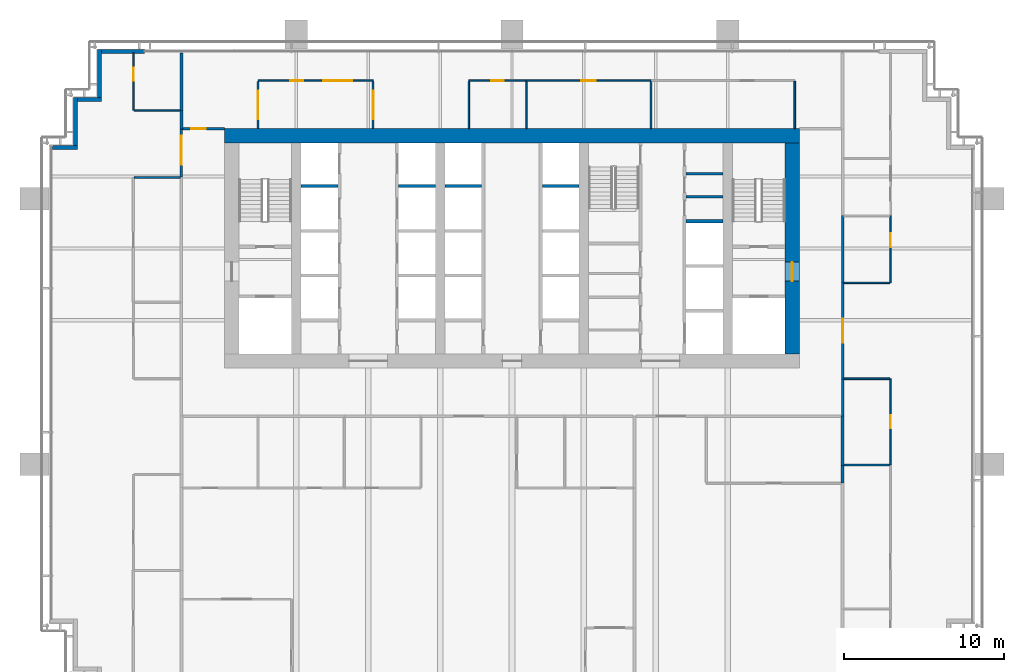
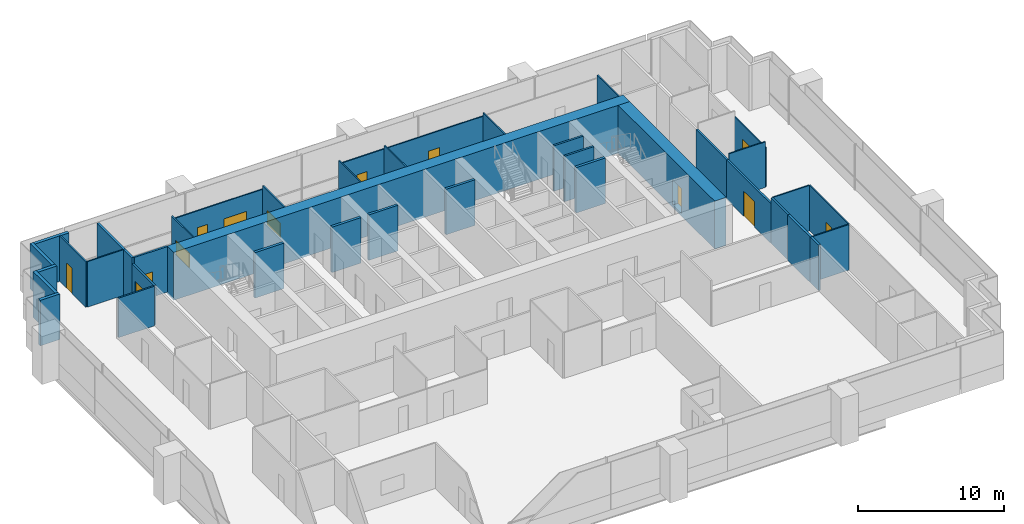
# One storey, part 13 of 18: 40 walls, 10 doors, 3 windows, 13 openings.
"""IFC4 building model written with IfcOpenShell, lengths in metres."""

import ifcopenshell
import ifcopenshell.guid

model = None  # the IFC model being written
_history = None  # IfcOwnerHistory: only IFC2X3 demands one
_inside = {}  # id of a spatial element -> (the spatial element, [elements in it])
_under = {}  # id of a project, library or spatial element -> (it, [spatial elements below it])
_declared = {}  # id of a project -> (the project, [libraries it declares])
_typed = {}  # id of a type object -> (the type object, [elements of that type])
_made_of = {}  # id of a material, layer set ... -> (it, [elements and type objects made of it])


def new_model(schema):
    """Start an empty IFC model of exactly this schema.

    Asked for "IFC4X3", IfcOpenShell would pick the latest addendum, in which some entities
    have other attributes; the version numbers below select the first issue.
    IFC2X3 requires an IfcOwnerHistory on every rooted entity: one is made here for all.
    """
    global model, _history
    if schema == "IFC4X3":
        model = ifcopenshell.file(schema_version=(4, 3, 0, 0))
    else:
        model = ifcopenshell.file(schema=schema)
    _inside.clear()
    _under.clear()
    _declared.clear()
    _typed.clear()
    _made_of.clear()
    _history = None
    if model.schema == "IFC2X3":
        org = make("IfcOrganization", Name="unknown")
        user = make(
            "IfcPersonAndOrganization",
            ThePerson=make("IfcPerson", FamilyName="unknown"),
            TheOrganization=org,
        )
        app = make(
            "IfcApplication",
            ApplicationDeveloper=org,
            Version="unknown",
            ApplicationFullName="unknown",
            ApplicationIdentifier="unknown",
        )
        _history = make(
            "IfcOwnerHistory",
            OwningUser=user,
            OwningApplication=app,
            ChangeAction="ADDED",
            CreationDate=0,
        )
    return model


def make(cls, **values):
    """One entity of the class cls with the attributes given. An attribute that is None is left unset."""
    return model.create_entity(
        cls, **{name: value for name, value in values.items() if value is not None}
    )


def rooted(cls, **values):
    """An entity with a GlobalId (a new one), such as an element, a storey or a relation."""
    return make(cls, GlobalId=ifcopenshell.guid.new(), OwnerHistory=_history, **values)


def si_unit(unit_type, name, prefix=None):
    """IfcSIUnit, for example si_unit("LENGTHUNIT", "METRE", prefix="MILLI")."""
    return make("IfcSIUnit", UnitType=unit_type, Prefix=prefix, Name=name)


def assignment(units):
    """IfcUnitAssignment: the units of a project."""
    return None if units is None else make("IfcUnitAssignment", Units=units)


def point(xyz):
    """IfcCartesianPoint."""
    return None if xyz is None else make("IfcCartesianPoint", Coordinates=xyz)


def direction(xyz):
    """IfcDirection."""
    return None if xyz is None else make("IfcDirection", DirectionRatios=xyz)


def frame(location, z_axis=None, x_axis=None):
    """IfcAxis2Placement3D, a coordinate frame: its origin and axes. An axis left out is left unset."""
    return make(
        "IfcAxis2Placement3D",
        Location=point(location),
        Axis=direction(z_axis),
        RefDirection=direction(x_axis),
    )


def frame_2d(location, x_axis=None):
    """IfcAxis2Placement2D, a coordinate frame in the plane: its origin and x axis."""
    return make(
        "IfcAxis2Placement2D", Location=point(location), RefDirection=direction(x_axis)
    )


def origin():
    """The frame at (0, 0, 0) with its axes left unset."""
    return frame((0.0, 0.0, 0.0))


def place(relative_to, where):
    """IfcLocalPlacement: puts the frame where relative to a parent placement (None: the world)."""
    return make(
        "IfcLocalPlacement", PlacementRelTo=relative_to, RelativePlacement=where
    )


def context(
    kind, dimensions, precision=None, world=None, true_north=None, identifier=None
):
    """IfcGeometricRepresentationContext, for example the 3D "Model" context."""
    return make(
        "IfcGeometricRepresentationContext",
        ContextIdentifier=identifier,
        ContextType=kind,
        CoordinateSpaceDimension=dimensions,
        Precision=precision,
        WorldCoordinateSystem=world,
        TrueNorth=true_north,
    )


def subcontext(parent, identifier, kind, view, scale=None):
    """IfcGeometricRepresentationSubContext, for example "Body" below "Model"."""
    return make(
        "IfcGeometricRepresentationSubContext",
        ContextIdentifier=identifier,
        ContextType=kind,
        ParentContext=parent,
        TargetScale=scale,
        TargetView=view,
    )


def project(units=None, contexts=None):
    """IfcProject with its units and contexts."""
    return rooted(
        "IfcProject",
        Name="project",
        RepresentationContexts=contexts,
        UnitsInContext=assignment(units),
    )


def spatial(cls, under=None, at=None, **own):
    """A site, building, storey or space (cls), placed at a placement, below another one or the project."""
    s = rooted(cls, ObjectPlacement=at, **own)
    if under is not None:
        _under.setdefault(under.id(), (under, []))[1].append(s)
    return s


def profile(cls, at=None, kind="AREA", **sizes):
    """A parametric profile (cls). Its sizes go by their IFC names, for example OverallWidth=200.0."""
    return make(cls, ProfileType=kind, Position=at, **sizes)


def rectangle(**sizes):
    """IfcRectangleProfileDef."""
    return profile("IfcRectangleProfileDef", **sizes)


def extrude(swept, where, along, depth):
    """IfcExtrudedAreaSolid: the profile swept, set in the frame where, extruded along a direction by depth."""
    return make(
        "IfcExtrudedAreaSolid",
        SweptArea=swept,
        Position=where,
        ExtrudedDirection=direction(along),
        Depth=depth,
    )


def shape(context_of_items, identifier, shape_type, items):
    """IfcShapeRepresentation: the items that make up one representation, for example the "Body"."""
    return make(
        "IfcShapeRepresentation",
        ContextOfItems=context_of_items,
        RepresentationIdentifier=identifier,
        RepresentationType=shape_type,
        Items=items,
    )


def material(Name=None, Category=None):
    """IfcMaterial."""
    return make("IfcMaterial", Name=Name, Category=Category)


def layer(
    of_material, thickness, ventilated=None, Name=None, Category=None, Priority=None
):
    """IfcMaterialLayer: one layer of a wall or slab, of a material (None: an air gap)."""
    return make(
        "IfcMaterialLayer",
        Material=of_material,
        LayerThickness=thickness,
        IsVentilated=ventilated,
        Name=Name,
        Category=Category,
        Priority=Priority,
    )


def layer_set(layers, Name=None):
    """IfcMaterialLayerSet."""
    return make("IfcMaterialLayerSet", MaterialLayers=layers, LayerSetName=Name)


def made_of(thing, what):
    """Note that an element or type object is made of a material, layer set ...; save() writes the relation."""
    if what is not None:
        _made_of.setdefault(what.id(), (what, []))[1].append(thing)
    return thing


def type_object(cls, material=None, **own):
    """A type object (cls), such as IfcWallType, which elements share."""
    return made_of(rooted(cls, **own), material)


def element(
    cls,
    number,
    at=None,
    inside=None,
    cuts=None,
    type_object=None,
    material=None,
    context=None,
    identifier="Body",
    shape_type=None,
    held_by="IfcProductDefinitionShape",
    body=None,
    shapes=None,
    **own,
):
    """One element of the class cls, such as IfcWall. Its Tag is "e" and its number.

    at: its placement. inside: the storey or other place that contains it. cuts: it is an
    opening in that element (IfcRelVoidsElement). A single representation is given by context,
    identifier, shape_type and body (its items); several are given by shapes. held_by: the class
    of the entity that holds the representations. save() writes the other relations.
    """
    e = rooted(cls, Tag="e%d" % number, ObjectPlacement=at, **own)
    if body is not None:
        shapes = [shape(context, identifier, shape_type, body)]
    if shapes is not None:
        e.Representation = make(held_by, Representations=shapes)
    if inside is not None:
        _inside.setdefault(inside.id(), (inside, []))[1].append(e)
    if cuts is not None:
        rooted(
            "IfcRelVoidsElement", RelatingBuildingElement=cuts, RelatedOpeningElement=e
        )
    if type_object is not None:
        _typed.setdefault(type_object.id(), (type_object, []))[1].append(e)
    return made_of(e, material)


def fill(opening, filler):
    """IfcRelFillsElement: the door or window that sits in an opening."""
    return rooted(
        "IfcRelFillsElement",
        RelatingOpeningElement=opening,
        RelatedBuildingElement=filler,
    )


def aggregate(whole, parts):
    """IfcRelAggregates: a whole, such as a stair, and the parts it consists of."""
    return rooted("IfcRelAggregates", RelatingObject=whole, RelatedObjects=parts)


def save(model, path):
    """Write the relations noted so far, then the file.

    IfcRelAggregates (storeys below a building ...), IfcRelContainedInSpatialStructure (elements
    in a storey), IfcRelDefinesByType, IfcRelAssociatesMaterial and IfcRelDeclares: one each for
    every whole, place, type object, material and project.
    """
    for whole, parts in _under.values():
        aggregate(whole, parts)
    for where, things in _inside.values():
        rooted(
            "IfcRelContainedInSpatialStructure",
            RelatedElements=things,
            RelatingStructure=where,
        )
    for kind, things in _typed.values():
        rooted("IfcRelDefinesByType", RelatedObjects=things, RelatingType=kind)
    for what, things in _made_of.values():
        rooted("IfcRelAssociatesMaterial", RelatedObjects=things, RelatingMaterial=what)
    for by, libraries in _declared.values():
        rooted("IfcRelDeclares", RelatingContext=by, RelatedDefinitions=libraries)
    model.write(path)


model = new_model("IFC4")

# Units and contexts
model_context = context("Model", 3, precision=1e-05, world=origin(), true_north=direction((0.0, 1.0)))
body_context = subcontext(model_context, "Body", "Model", "MODEL_VIEW")
ifc_project = project(units=[si_unit("LENGTHUNIT", "METRE"), si_unit("AREAUNIT", "SQUARE_METRE"), si_unit("VOLUMEUNIT", "CUBIC_METRE"), si_unit("PLANEANGLEUNIT", "RADIAN"), si_unit("MASSUNIT", "GRAM", prefix="KILO")], contexts=[model_context])

# Site, building, storey
site_placement = place(None, origin())
site = spatial("IfcSite", under=ifc_project, at=site_placement, CompositionType="ELEMENT")
building_placement = place(site_placement, origin())
building = spatial("IfcBuilding", under=site, at=building_placement, Name="Rattan Terrace Tower", CompositionType="ELEMENT")
storey_placement = place(building_placement, frame((0.0, 0.0, 134.10009765625)))
storey = spatial("IfcBuildingStorey", under=building, at=storey_placement, Name="L30", CompositionType="ELEMENT", Elevation=134.10009765625)

# Walls
ifc_material_1 = material(Name="Gypsum board partition")
ifc_layer_1 = layer(ifc_material_1, 0.14990234375)
ifc_layer_set_1 = layer_set([ifc_layer_1], Name="Core partition 150")
wall_type_1 = type_object("IfcWallType", Name="Core partition 150", PredefinedType="PARTITIONING", material=ifc_layer_set_1)
for number, where, z_axis, x_axis, name in (
    (1, (10.89990234375, 3.239990234375, 0.0), (0.0, 0.0, 1.0), (1.0, 0.0, 0.0), "Riser room wall"),
    (2, (10.89990234375, 4.679931640625, 0.0), (0.0, 0.0, 1.0), (1.0, 0.0, 0.0), "Riser room wall"),
):
    element("IfcWall", number, at=place(storey_placement, frame(where, z_axis=z_axis, x_axis=x_axis)), inside=storey, type_object=wall_type_1, Name=name, PredefinedType="PARTITIONING", context=body_context, shape_type="SweptSolid", body=[
        extrude(rectangle(XDim=2.300048828125, YDim=0.14990234375, at=frame_2d((1.14990234375, 0.0))), origin(), (0.0, 0.0, 1.0), 3.7998046875),
    ])
ifc_material_2 = material(Name="Concrete C60/75", Category="concrete")
ifc_layer_2 = layer(ifc_material_2, 0.89990234375)
ifc_layer_set_2 = layer_set([ifc_layer_2], Name="Core ring wall 900 C60/75")
wall_type_2 = type_object("IfcWallType", Name="Core ring wall 900 C60/75", PredefinedType="SHEAR", material=ifc_layer_set_2)
wall_1_placement = place(storey_placement, frame((-18.0, 7.050048828125, -0.2001953125), z_axis=(0.0, 0.0, 1.0), x_axis=(1.0, 0.0, 0.0)))
element("IfcWall", 3, at=wall_1_placement, inside=storey, type_object=wall_type_2, Name="Rear core wall north", PredefinedType="SHEAR", context=body_context, shape_type="SweptSolid", body=[
    extrude(rectangle(XDim=36.0, YDim=0.89990234375, at=frame_2d((18.0, 0.0))), origin(), (0.0, 0.0, 1.0), 4.0),
])

# Wall, opening, door
wall_2_placement = place(storey_placement, frame((17.550048828125, -6.60009765625, -0.2001953125), z_axis=(0.0, 0.0, 1.0), x_axis=(0.0, 1.0, 0.0)))
wall_2 = element("IfcWall", 4, at=wall_2_placement, inside=storey, type_object=wall_type_2, Name="Rear core wall east", PredefinedType="SHEAR", context=body_context, shape_type="SweptSolid", body=[
    extrude(rectangle(XDim=13.2001953125, YDim=0.89990234375, at=frame_2d((6.60009765625, 0.0))), origin(), (0.0, 0.0, 1.0), 4.0),
])
opening_1_placement = place(wall_2_placement, frame((4.550048828125, 0.0, 0.199951171875)))
opening_1 = element("IfcOpeningElement", 5, at=opening_1_placement, cuts=wall_2, Name="Opening L30-D003", PredefinedType="OPENING", context=body_context, shape_type="SweptSolid", body=[
    extrude(rectangle(XDim=1.199951171875, YDim=2.10009765625, at=frame_2d((0.60009765625, 1.050048828125))), frame((0.0, 0.46044921875, 0.0), z_axis=(0.0, -1.0, 0.0), x_axis=(1.0, 0.0, 0.0)), (0.0, 0.0, 1.0), 0.9208984375),
])
ifc_material_3 = material(Name="Hollow-metal fire door leaf")
door_type_1 = type_object("IfcDoorType", Name="Core fire-fighting lobby door 1200", OperationType="NOTDEFINED", PredefinedType="DOOR", material=ifc_material_3)
door_1_placement = place(opening_1_placement, origin())
door_1 = element("IfcDoor", 6, at=door_1_placement, inside=storey, type_object=door_type_1, Name="Door L30-D003", OperationType="SINGLE_SWING_LEFT", OverallHeight=2.10009765625, OverallWidth=1.199951171875, PredefinedType="DOOR", context=body_context, shape_type="SweptSolid", body=[
    extrude(rectangle(XDim=1.199951171875, YDim=2.10009765625, at=frame_2d((0.60009765625, 1.050048828125))), frame((0.0, 0.02490234375, 0.0), z_axis=(0.0, -1.0, 0.0), x_axis=(1.0, 0.0, 0.0)), (0.0, 0.0, 1.0), 0.050048828125),
])
fill(opening_1, door_1)

# Walls
ifc_material_4 = material(Name="Insulated aluminium-clad stud wall", Category="aluminium")
ifc_layer_3 = layer(ifc_material_4, 0.25)
ifc_layer_set_3 = layer_set([ifc_layer_3], Name="Facade Riser Wall 250")
wall_type_3 = type_object("IfcWallType", Name="Facade Riser Wall 250", PredefinedType="SOLIDWALL", material=ifc_layer_set_3)
wall_3_placement = place(storey_placement, frame((-23.0, 12.330078125, 0.0), z_axis=(0.0, 0.0, 1.0), x_axis=(-1.0, 0.0, 0.0)))
element("IfcWall", 7, at=wall_3_placement, inside=storey, type_object=wall_type_3, Name="Riser wall L30-11", PredefinedType="SOLIDWALL", context=body_context, shape_type="SweptSolid", body=[
    extrude(rectangle(XDim=2.705078125, YDim=0.25, at=frame_2d((1.3525390625, 0.0))), origin(), (0.0, 0.0, 1.0), 3.7998046875),
])
wall_4_placement = place(storey_placement, frame((-25.830078125, 12.455078125, 0.0), z_axis=(0.0, 0.0, 1.0), x_axis=(0.0, -1.0, 0.0)))
element("IfcWall", 8, at=wall_4_placement, inside=storey, type_object=wall_type_3, Name="Riser wall L30-12", PredefinedType="SOLIDWALL", context=body_context, shape_type="SweptSolid", body=[
    extrude(rectangle(XDim=3.0, YDim=0.25, at=frame_2d((1.5, 0.0))), origin(), (0.0, 0.0, 1.0), 3.7998046875),
])
wall_5_placement = place(storey_placement, frame((-25.705078125, 9.330078125, 0.0), z_axis=(0.0, 0.0, 1.0), x_axis=(-1.0, 0.0, 0.0)))
element("IfcWall", 9, at=wall_5_placement, inside=storey, type_object=wall_type_3, Name="Riser wall L30-13", PredefinedType="SOLIDWALL", context=body_context, shape_type="SweptSolid", body=[
    extrude(rectangle(XDim=1.5, YDim=0.25, at=frame_2d((0.75, 0.0))), origin(), (0.0, 0.0, 1.0), 3.7998046875),
])
wall_6_placement = place(storey_placement, frame((-27.330078125, 9.455078125, 0.0), z_axis=(0.0, 0.0, 1.0), x_axis=(0.0, -1.0, 0.0)))
element("IfcWall", 10, at=wall_6_placement, inside=storey, type_object=wall_type_3, Name="Riser wall L30-14", PredefinedType="SOLIDWALL", context=body_context, shape_type="SweptSolid", body=[
    extrude(rectangle(XDim=3.0, YDim=0.25, at=frame_2d((1.5, 0.0))), origin(), (0.0, 0.0, 1.0), 3.7998046875),
])
wall_7_placement = place(storey_placement, frame((-27.205078125, 6.330078125, 0.0), z_axis=(0.0, 0.0, 1.0), x_axis=(-1.0, 0.0, 0.0)))
element("IfcWall", 11, at=wall_7_placement, inside=storey, type_object=wall_type_3, Name="Riser wall L30-15", PredefinedType="SOLIDWALL", context=body_context, shape_type="SweptSolid", body=[
    extrude(rectangle(XDim=1.544921875, YDim=0.25, at=frame_2d((0.7724609375, 0.0))), origin(), (0.0, 0.0, 1.0), 3.7998046875),
])
ifc_material_5 = material(Name="Double steel stud acoustic partition, gypsum board, mineral wool, fire rated", Category="steel")
ifc_layer_4 = layer(ifc_material_5, 0.179931640625)
ifc_layer_set_4 = layer_set([ifc_layer_4], Name="Floors Acoustic Party Wall 180")
wall_type_4 = type_object("IfcWallType", Name="Floors Acoustic Party Wall 180", PredefinedType="PARTITIONING", material=ifc_layer_set_4)
wall_8_placement = place(storey_placement, frame((-20.699951171875, 8.639892578125, 0.0), z_axis=(0.0, 0.0, 1.0), x_axis=(0.0, -1.0, 0.0)))
element("IfcWall", 12, at=wall_8_placement, inside=storey, type_object=wall_type_4, Name="pt-L30-030", PredefinedType="PARTITIONING", context=body_context, shape_type="SweptSolid", body=[
    extrude(rectangle(XDim=1.159912109375, YDim=0.179931640625, at=frame_2d((0.580078125, 0.0))), origin(), (0.0, 0.0, 1.0), 3.7998046875),
])
wall_9_placement = place(storey_placement, frame((-20.699951171875, 12.239990234375, 0.0), z_axis=(0.0, 0.0, 1.0), x_axis=(0.0, -1.0, 0.0)))
element("IfcWall", 13, at=wall_9_placement, inside=storey, type_object=wall_type_4, Name="pt-L30-037", PredefinedType="PARTITIONING", context=body_context, shape_type="SweptSolid", body=[
    extrude(rectangle(XDim=3.60009765625, YDim=0.179931640625, at=frame_2d((1.800048828125, 0.0))), origin(), (0.0, 0.0, 1.0), 3.7998046875),
])
wall_10_placement = place(storey_placement, frame((20.699951171875, -13.580078125, 0.0), z_axis=(0.0, 0.0, 1.0), x_axis=(0.0, -1.0, 0.0)))
element("IfcWall", 14, at=wall_10_placement, inside=storey, type_object=wall_type_4, Name="pt-L30-060", PredefinedType="PARTITIONING", context=body_context, shape_type="SweptSolid", body=[
    extrude(rectangle(XDim=1.119873046875, YDim=0.179931640625, at=frame_2d((0.56005859375, 0.0))), origin(), (0.0, 0.0, 1.0), 3.7998046875),
])
wall_11_placement = place(storey_placement, frame((20.699951171875, -10.5, 0.0), z_axis=(0.0, 0.0, 1.0), x_axis=(0.0, -1.0, 0.0)))
element("IfcWall", 15, at=wall_11_placement, inside=storey, type_object=wall_type_4, Name="pt-L30-061", PredefinedType="PARTITIONING", context=body_context, shape_type="SweptSolid", body=[
    extrude(rectangle(XDim=3.080078125, YDim=0.179931640625, at=frame_2d((1.5400390625, 0.0))), origin(), (0.0, 0.0, 1.0), 3.7998046875),
])

# Wall, opening, door
ifc_material_6 = material(Name="Gypsum board partition on steel studs", Category="steel")
ifc_layer_5 = layer(ifc_material_6, 0.10009765625)
ifc_layer_set_5 = layer_set([ifc_layer_5], Name="Floors Partition 100")
wall_type_5 = type_object("IfcWallType", Name="Floors Partition 100", PredefinedType="PARTITIONING", material=ifc_layer_set_5)
wall_12_placement = place(storey_placement, frame((-23.699951171875, 12.239990234375, 0.0), z_axis=(0.0, 0.0, 1.0), x_axis=(0.0, -1.0, 0.0)))
wall_12 = element("IfcWall", 16, at=wall_12_placement, inside=storey, type_object=wall_type_5, Name="pt-L30-027", PredefinedType="PARTITIONING", context=body_context, shape_type="SweptSolid", body=[
    extrude(rectangle(XDim=3.60009765625, YDim=0.10009765625, at=frame_2d((1.800048828125, 0.0))), origin(), (0.0, 0.0, 1.0), 3.7998046875),
])
opening_2_placement = place(wall_12_placement, frame((0.93994140625, 0.0, 0.0)))
opening_2 = element("IfcOpeningElement", 17, at=opening_2_placement, cuts=wall_12, Name="Opening L30-D105", PredefinedType="OPENING", context=body_context, shape_type="SweptSolid", body=[
    extrude(rectangle(XDim=0.800048828125, YDim=2.10009765625, at=frame_2d((0.39990234375, 1.050048828125))), frame((0.0, 0.060546875, 0.0), z_axis=(0.0, -1.0, 0.0), x_axis=(1.0, 0.0, 0.0)), (0.0, 0.0, 1.0), 0.12109375),
])
ifc_material_7 = material(Name="Solid core timber door, painted", Category="wood")
door_type_2 = type_object("IfcDoorType", Name="Floors Store Door 800x2100", OperationType="NOTDEFINED", PredefinedType="DOOR", material=ifc_material_7)
door_2_placement = place(opening_2_placement, origin())
door_2 = element("IfcDoor", 18, at=door_2_placement, inside=storey, type_object=door_type_2, Name="d-L30-105", OperationType="SINGLE_SWING_LEFT", OverallHeight=2.10009765625, OverallWidth=0.800048828125, PredefinedType="DOOR", context=body_context, shape_type="SweptSolid", body=[
    extrude(rectangle(XDim=0.800048828125, YDim=2.10009765625, at=frame_2d((0.39990234375, 1.050048828125))), frame((0.0, 0.02490234375, 0.0), z_axis=(0.0, -1.0, 0.0), x_axis=(1.0, 0.0, 0.0)), (0.0, 0.0, 1.0), 0.050048828125),
])
fill(opening_2, door_2)

# Walls
wall_13_placement = place(storey_placement, frame((-23.64990234375, 8.639892578125, 0.0), z_axis=(0.0, 0.0, 1.0), x_axis=(1.0, 0.0, 0.0)))
element("IfcWall", 19, at=wall_13_placement, inside=storey, type_object=wall_type_5, Name="pt-L30-028", PredefinedType="PARTITIONING", context=body_context, shape_type="SweptSolid", body=[
    extrude(rectangle(XDim=2.85986328125, YDim=0.10009765625, at=frame_2d((1.429931640625, 0.0))), origin(), (0.0, 0.0, 1.0), 3.7998046875),
])
wall_14_placement = place(storey_placement, frame((23.64990234375, -8.159912109375, 0.0), z_axis=(0.0, 0.0, 1.0), x_axis=(-1.0, 0.0, 0.0)))
element("IfcWall", 20, at=wall_14_placement, inside=storey, type_object=wall_type_5, Name="pt-L30-065", PredefinedType="PARTITIONING", context=body_context, shape_type="SweptSolid", body=[
    extrude(rectangle(XDim=2.875, YDim=0.10009765625, at=frame_2d((1.4375, 0.0))), origin(), (0.0, 0.0, 1.0), 3.7998046875),
])

# Wall, opening, door
wall_15_placement = place(storey_placement, frame((23.699951171875, -13.5400390625, 0.0), z_axis=(0.0, 0.0, 1.0), x_axis=(0.0, 1.0, 0.0)))
wall_15 = element("IfcWall", 21, at=wall_15_placement, inside=storey, type_object=wall_type_5, Name="pt-L30-066", PredefinedType="PARTITIONING", context=body_context, shape_type="SweptSolid", body=[
    extrude(rectangle(XDim=5.380126953125, YDim=0.10009765625, at=frame_2d((2.68994140625, 0.0))), origin(), (0.0, 0.0, 1.0), 3.7998046875),
])
opening_3_placement = place(wall_15_placement, frame((2.2900390625, 0.0, 0.0)))
opening_3 = element("IfcOpeningElement", 22, at=opening_3_placement, cuts=wall_15, Name="Opening L30-D120", PredefinedType="OPENING", context=body_context, shape_type="SweptSolid", body=[
    extrude(rectangle(XDim=0.800048828125, YDim=2.10009765625, at=frame_2d((0.39990234375, 1.050048828125))), frame((0.0, 0.060546875, 0.0), z_axis=(0.0, -1.0, 0.0), x_axis=(1.0, 0.0, 0.0)), (0.0, 0.0, 1.0), 0.12109375),
])
door_3_placement = place(opening_3_placement, origin())
door_3 = element("IfcDoor", 23, at=door_3_placement, inside=storey, type_object=door_type_2, Name="d-L30-120", OperationType="SINGLE_SWING_LEFT", OverallHeight=2.10009765625, OverallWidth=0.800048828125, PredefinedType="DOOR", context=body_context, shape_type="SweptSolid", body=[
    extrude(rectangle(XDim=0.800048828125, YDim=2.10009765625, at=frame_2d((0.39990234375, 1.050048828125))), frame((0.0, 0.02490234375, 0.0), z_axis=(0.0, -1.0, 0.0), x_axis=(1.0, 0.0, 0.0)), (0.0, 0.0, 1.0), 0.050048828125),
])
fill(opening_3, door_3)

# Wall
wall_16_placement = place(storey_placement, frame((20.77490234375, -2.159912109375, 0.0), z_axis=(0.0, 0.0, 1.0), x_axis=(1.0, 0.0, 0.0)))
element("IfcWall", 24, at=wall_16_placement, inside=storey, type_object=wall_type_5, Name="pt-L30-067", PredefinedType="PARTITIONING", context=body_context, shape_type="SweptSolid", body=[
    extrude(rectangle(XDim=2.875, YDim=0.10009765625, at=frame_2d((1.4375, 0.0))), origin(), (0.0, 0.0, 1.0), 3.7998046875),
])

# Wall, opening, door
wall_17_placement = place(storey_placement, frame((23.699951171875, -2.159912109375, 0.0), z_axis=(0.0, 0.0, 1.0), x_axis=(0.0, 1.0, 0.0)))
wall_17 = element("IfcWall", 25, at=wall_17_placement, inside=storey, type_object=wall_type_5, Name="pt-L30-068", PredefinedType="PARTITIONING", context=body_context, shape_type="SweptSolid", body=[
    extrude(rectangle(XDim=4.219970703125, YDim=0.10009765625, at=frame_2d((2.10986328125, 0.0))), origin(), (0.0, 0.0, 1.0), 3.2998046875),
])
opening_4_placement = place(wall_17_placement, frame((2.22412109375, 0.0, 0.0)))
opening_4 = element("IfcOpeningElement", 26, at=opening_4_placement, cuts=wall_17, Name="Opening L30-D121", PredefinedType="OPENING", context=body_context, shape_type="SweptSolid", body=[
    extrude(rectangle(XDim=0.89990234375, YDim=2.10009765625, at=frame_2d((0.449951171875, 1.050048828125))), frame((0.0, 0.060546875, 0.0), z_axis=(0.0, -1.0, 0.0), x_axis=(1.0, 0.0, 0.0)), (0.0, 0.0, 1.0), 0.12109375),
])
ifc_material_8 = material(Name="Solid core timber door, painted", Category="wood")
door_type_3 = type_object("IfcDoorType", Name="Floors Door 900x2100", OperationType="NOTDEFINED", PredefinedType="DOOR", material=ifc_material_8)
door_4_placement = place(opening_4_placement, origin())
door_4 = element("IfcDoor", 27, at=door_4_placement, inside=storey, type_object=door_type_3, Name="d-L30-121", OperationType="SINGLE_SWING_RIGHT", OverallHeight=2.10009765625, OverallWidth=0.89990234375, PredefinedType="DOOR", context=body_context, shape_type="SweptSolid", body=[
    extrude(rectangle(XDim=0.89990234375, YDim=2.10009765625, at=frame_2d((0.449951171875, 1.050048828125))), frame((0.0, 0.02490234375, 0.0), z_axis=(0.0, -1.0, 0.0), x_axis=(1.0, 0.0, 0.0)), (0.0, 0.0, 1.0), 0.050048828125),
])
fill(opening_4, door_4)

# Wall
wall_18_placement = place(storey_placement, frame((20.7900390625, -13.56005859375, 0.0), z_axis=(0.0, 0.0, 1.0), x_axis=(1.0, 0.0, 0.0)))
element("IfcWall", 28, at=wall_18_placement, inside=storey, type_object=wall_type_5, Name="pt-L30-073", PredefinedType="PARTITIONING", context=body_context, shape_type="SweptSolid", body=[
    extrude(rectangle(XDim=2.85986328125, YDim=0.10009765625, at=frame_2d((1.429931640625, 0.0))), origin(), (0.0, 0.0, 1.0), 3.7998046875),
])

# Wall, opening, window
wall_19_placement = place(storey_placement, frame((-15.89990234375, 10.449951171875, 0.0), z_axis=(0.0, 0.0, 1.0), x_axis=(0.0, -1.0, 0.0)))
wall_19 = element("IfcWall", 29, at=wall_19_placement, inside=storey, type_object=wall_type_5, Name="pt-L30-077", PredefinedType="PARTITIONING", context=body_context, shape_type="SweptSolid", body=[
    extrude(rectangle(XDim=2.949951171875, YDim=0.10009765625, at=frame_2d((1.47509765625, 0.0))), origin(), (0.0, 0.0, 1.0), 3.7998046875),
])
opening_5_placement = place(wall_19_placement, frame((0.574951171875, 0.0, 0.89990234375)))
opening_5 = element("IfcOpeningElement", 30, at=opening_5_placement, cuts=wall_19, Name="Opening L30-W105", PredefinedType="OPENING", context=body_context, shape_type="SweptSolid", body=[
    extrude(rectangle(XDim=1.800048828125, YDim=1.199951171875, at=frame_2d((0.89990234375, 0.60009765625))), frame((0.0, 0.060546875, 0.0), z_axis=(0.0, -1.0, 0.0), x_axis=(1.0, 0.0, 0.0)), (0.0, 0.0, 1.0), 0.12109375),
])
ifc_material_9 = material(Name="Glass, clear, fixed in aluminium frame", Category="aluminium")
window_type = type_object("IfcWindowType", Name="Interior Vision Window 1800x1200", PartitioningType="SINGLE_PANEL", PredefinedType="WINDOW", material=ifc_material_9)
window_1_placement = place(opening_5_placement, origin())
window_1 = element("IfcWindow", 31, at=window_1_placement, inside=storey, type_object=window_type, Name="w-L30-105", OverallHeight=1.199951171875, OverallWidth=1.800048828125, PartitioningType="SINGLE_PANEL", PredefinedType="WINDOW", context=body_context, shape_type="SweptSolid", body=[
    extrude(rectangle(XDim=1.800048828125, YDim=1.199951171875, at=frame_2d((0.89990234375, 0.60009765625))), frame((0.0, 0.030029296875, 0.0), z_axis=(0.0, -1.0, 0.0), x_axis=(1.0, 0.0, 0.0)), (0.0, 0.0, 1.0), 0.06005859375),
])
fill(opening_5, window_1)

# Wall, openings, door, window
wall_20_placement = place(storey_placement, frame((-8.699951171875, 10.5, 0.0), z_axis=(0.0, 0.0, 1.0), x_axis=(-1.0, 0.0, 0.0)))
wall_20 = element("IfcWall", 32, at=wall_20_placement, inside=storey, type_object=wall_type_5, Name="pt-L30-078", PredefinedType="PARTITIONING", context=body_context, shape_type="SweptSolid", body=[
    extrude(rectangle(XDim=7.199951171875, YDim=0.10009765625, at=frame_2d((3.60009765625, 0.0))), origin(), (0.0, 0.0, 1.0), 3.5),
])
opening_6_placement = place(wall_20_placement, frame((4.3798828125, 0.0, 0.0)))
opening_6 = element("IfcOpeningElement", 33, at=opening_6_placement, cuts=wall_20, Name="Opening L30-D125", PredefinedType="OPENING", context=body_context, shape_type="SweptSolid", body=[
    extrude(rectangle(XDim=0.800048828125, YDim=2.10009765625, at=frame_2d((0.39990234375, 1.050048828125))), frame((0.0, 0.060546875, 0.0), z_axis=(0.0, -1.0, 0.0), x_axis=(1.0, 0.0, 0.0)), (0.0, 0.0, 1.0), 0.12109375),
])
opening_7_placement = place(wall_20_placement, frame((1.31494140625, 0.0, 0.89990234375)))
opening_7 = element("IfcOpeningElement", 34, at=opening_7_placement, cuts=wall_20, Name="Opening L30-W106", PredefinedType="OPENING", context=body_context, shape_type="SweptSolid", body=[
    extrude(rectangle(XDim=1.800048828125, YDim=1.199951171875, at=frame_2d((0.89990234375, 0.60009765625))), frame((0.0, 0.060546875, 0.0), z_axis=(0.0, -1.0, 0.0), x_axis=(1.0, 0.0, 0.0)), (0.0, 0.0, 1.0), 0.12109375),
])
door_5_placement = place(opening_6_placement, origin())
door_5 = element("IfcDoor", 35, at=door_5_placement, inside=storey, type_object=door_type_2, Name="d-L30-125", OperationType="SINGLE_SWING_RIGHT", OverallHeight=2.10009765625, OverallWidth=0.800048828125, PredefinedType="DOOR", context=body_context, shape_type="SweptSolid", body=[
    extrude(rectangle(XDim=0.800048828125, YDim=2.10009765625, at=frame_2d((0.39990234375, 1.050048828125))), frame((0.0, 0.02490234375, 0.0), z_axis=(0.0, -1.0, 0.0), x_axis=(1.0, 0.0, 0.0)), (0.0, 0.0, 1.0), 0.050048828125),
])
fill(opening_6, door_5)
window_2_placement = place(opening_7_placement, origin())
window_2 = element("IfcWindow", 36, at=window_2_placement, inside=storey, type_object=window_type, Name="w-L30-106", OverallHeight=1.199951171875, OverallWidth=1.800048828125, PartitioningType="SINGLE_PANEL", PredefinedType="WINDOW", context=body_context, shape_type="SweptSolid", body=[
    extrude(rectangle(XDim=1.800048828125, YDim=1.199951171875, at=frame_2d((0.89990234375, 0.60009765625))), frame((0.0, 0.030029296875, 0.0), z_axis=(0.0, -1.0, 0.0), x_axis=(1.0, 0.0, 0.0)), (0.0, 0.0, 1.0), 0.06005859375),
])
fill(opening_7, window_2)

# Wall, opening, window
wall_21_placement = place(storey_placement, frame((-8.699951171875, 7.5, 0.0), z_axis=(0.0, 0.0, 1.0), x_axis=(0.0, 1.0, 0.0)))
wall_21 = element("IfcWall", 37, at=wall_21_placement, inside=storey, type_object=wall_type_5, Name="pt-L30-079", PredefinedType="PARTITIONING", context=body_context, shape_type="SweptSolid", body=[
    extrude(rectangle(XDim=2.949951171875, YDim=0.10009765625, at=frame_2d((1.47509765625, 0.0))), origin(), (0.0, 0.0, 1.0), 3.7998046875),
])
opening_8_placement = place(wall_21_placement, frame((0.574951171875, 0.0, 0.89990234375)))
opening_8 = element("IfcOpeningElement", 38, at=opening_8_placement, cuts=wall_21, Name="Opening L30-W107", PredefinedType="OPENING", context=body_context, shape_type="SweptSolid", body=[
    extrude(rectangle(XDim=1.800048828125, YDim=1.199951171875, at=frame_2d((0.89990234375, 0.60009765625))), frame((0.0, 0.060546875, 0.0), z_axis=(0.0, -1.0, 0.0), x_axis=(1.0, 0.0, 0.0)), (0.0, 0.0, 1.0), 0.12109375),
])
window_3_placement = place(opening_8_placement, origin())
window_3 = element("IfcWindow", 39, at=window_3_placement, inside=storey, type_object=window_type, Name="w-L30-107", OverallHeight=1.199951171875, OverallWidth=1.800048828125, PartitioningType="SINGLE_PANEL", PredefinedType="WINDOW", context=body_context, shape_type="SweptSolid", body=[
    extrude(rectangle(XDim=1.800048828125, YDim=1.199951171875, at=frame_2d((0.89990234375, 0.60009765625))), frame((0.0, 0.030029296875, 0.0), z_axis=(0.0, -1.0, 0.0), x_axis=(1.0, 0.0, 0.0)), (0.0, 0.0, 1.0), 0.06005859375),
])
fill(opening_8, window_3)

# Wall
wall_22_placement = place(storey_placement, frame((-2.699951171875, 10.449951171875, 0.0), z_axis=(0.0, 0.0, 1.0), x_axis=(0.0, -1.0, 0.0)))
element("IfcWall", 40, at=wall_22_placement, inside=storey, type_object=wall_type_5, Name="pt-L30-080", PredefinedType="PARTITIONING", context=body_context, shape_type="SweptSolid", body=[
    extrude(rectangle(XDim=2.949951171875, YDim=0.10009765625, at=frame_2d((1.47509765625, 0.0))), origin(), (0.0, 0.0, 1.0), 3.7998046875),
])

# Wall, opening, door
wall_23_placement = place(storey_placement, frame((0.8798828125, 10.5, 0.0), z_axis=(0.0, 0.0, 1.0), x_axis=(-1.0, 0.0, 0.0)))
wall_23 = element("IfcWall", 41, at=wall_23_placement, inside=storey, type_object=wall_type_5, Name="pt-L30-081", PredefinedType="PARTITIONING", context=body_context, shape_type="SweptSolid", body=[
    extrude(rectangle(XDim=3.579833984375, YDim=0.10009765625, at=frame_2d((1.7900390625, 0.0))), origin(), (0.0, 0.0, 1.0), 3.5),
])
opening_9_placement = place(wall_23_placement, frame((1.389892578125, 0.0, 0.0)))
opening_9 = element("IfcOpeningElement", 42, at=opening_9_placement, cuts=wall_23, Name="Opening L30-D126", PredefinedType="OPENING", context=body_context, shape_type="SweptSolid", body=[
    extrude(rectangle(XDim=0.800048828125, YDim=2.10009765625, at=frame_2d((0.39990234375, 1.050048828125))), frame((0.0, 0.060546875, 0.0), z_axis=(0.0, -1.0, 0.0), x_axis=(1.0, 0.0, 0.0)), (0.0, 0.0, 1.0), 0.12109375),
])
door_6_placement = place(opening_9_placement, origin())
door_6 = element("IfcDoor", 43, at=door_6_placement, inside=storey, type_object=door_type_2, Name="d-L30-126", OperationType="SINGLE_SWING_LEFT", OverallHeight=2.10009765625, OverallWidth=0.800048828125, PredefinedType="DOOR", context=body_context, shape_type="SweptSolid", body=[
    extrude(rectangle(XDim=0.800048828125, YDim=2.10009765625, at=frame_2d((0.39990234375, 1.050048828125))), frame((0.0, 0.02490234375, 0.0), z_axis=(0.0, -1.0, 0.0), x_axis=(1.0, 0.0, 0.0)), (0.0, 0.0, 1.0), 0.050048828125),
])
fill(opening_9, door_6)

wall_24_placement = place(storey_placement, frame((8.679931640625, 10.5, 0.0), z_axis=(0.0, 0.0, 1.0), x_axis=(-1.0, 0.0, 0.0)))
wall_24 = element("IfcWall", 44, at=wall_24_placement, inside=storey, type_object=wall_type_5, Name="pt-L30-082", PredefinedType="PARTITIONING", context=body_context, shape_type="SweptSolid", body=[
    extrude(rectangle(XDim=7.800048828125, YDim=0.10009765625, at=frame_2d((3.89990234375, 0.0))), origin(), (0.0, 0.0, 1.0), 3.5),
])
opening_10_placement = place(wall_24_placement, frame((3.449951171875, 0.0, 0.0)))
opening_10 = element("IfcOpeningElement", 45, at=opening_10_placement, cuts=wall_24, Name="Opening L30-D127", PredefinedType="OPENING", context=body_context, shape_type="SweptSolid", body=[
    extrude(rectangle(XDim=0.89990234375, YDim=2.10009765625, at=frame_2d((0.449951171875, 1.050048828125))), frame((0.0, 0.060546875, 0.0), z_axis=(0.0, -1.0, 0.0), x_axis=(1.0, 0.0, 0.0)), (0.0, 0.0, 1.0), 0.12109375),
])
door_7_placement = place(opening_10_placement, origin())
door_7 = element("IfcDoor", 46, at=door_7_placement, inside=storey, type_object=door_type_3, Name="d-L30-127", OperationType="SINGLE_SWING_RIGHT", OverallHeight=2.10009765625, OverallWidth=0.89990234375, PredefinedType="DOOR", context=body_context, shape_type="SweptSolid", body=[
    extrude(rectangle(XDim=0.89990234375, YDim=2.10009765625, at=frame_2d((0.449951171875, 1.050048828125))), frame((0.0, 0.02490234375, 0.0), z_axis=(0.0, -1.0, 0.0), x_axis=(1.0, 0.0, 0.0)), (0.0, 0.0, 1.0), 0.050048828125),
])
fill(opening_10, door_7)

# Walls
for number, where, z_axis, x_axis, name in (
    (47, (17.699951171875, 7.5, 0.0), (0.0, 0.0, 1.0), (0.0, 1.0, 0.0), "pt-L30-084"),
    (48, (0.89990234375, 10.449951171875, 0.0), (0.0, 0.0, 1.0), (0.0, -1.0, 0.0), "pt-L30-085"),
    (49, (8.699951171875, 10.449951171875, 0.0), (0.0, 0.0, 1.0), (0.0, -1.0, 0.0), "pt-L30-086"),
):
    element("IfcWall", number, at=place(storey_placement, frame(where, z_axis=z_axis, x_axis=x_axis)), inside=storey, type_object=wall_type_5, Name=name, PredefinedType="PARTITIONING", context=body_context, shape_type="SweptSolid", body=[
        extrude(rectangle(XDim=2.949951171875, YDim=0.10009765625, at=frame_2d((1.47509765625, 0.0))), origin(), (0.0, 0.0, 1.0), 3.7998046875),
    ])

# Wall, opening, door
ifc_material_10 = material(Name="Gypsum board partition on steel studs, fire rated", Category="steel")
ifc_layer_6 = layer(ifc_material_10, 0.14990234375)
ifc_layer_set_6 = layer_set([ifc_layer_6], Name="Floors Tenancy Wall 150")
wall_type_6 = type_object("IfcWallType", Name="Floors Tenancy Wall 150", PredefinedType="PARTITIONING", material=ifc_layer_set_6)
wall_25_placement = place(storey_placement, frame((-20.699951171875, 4.4599609375, 0.0), z_axis=(0.0, 0.0, 1.0), x_axis=(0.0, 1.0, 0.0)))
wall_25 = element("IfcWall", 50, at=wall_25_placement, inside=storey, type_object=wall_type_6, Name="pt-L30-002", PredefinedType="PARTITIONING", context=body_context, shape_type="SweptSolid", body=[
    extrude(rectangle(XDim=3.02001953125, YDim=0.14990234375, at=frame_2d((1.510009765625, 0.0))), origin(), (0.0, 0.0, 1.0), 3.2998046875),
])
opening_11_placement = place(wall_25_placement, frame((0.7900390625, 0.0, 0.0)))
opening_11 = element("IfcOpeningElement", 51, at=opening_11_placement, cuts=wall_25, Name="Opening L30-D100", PredefinedType="OPENING", context=body_context, shape_type="SweptSolid", body=[
    extrude(rectangle(XDim=1.800048828125, YDim=2.10009765625, at=frame_2d((0.89990234375, 1.050048828125))), frame((0.0, 0.08544921875, 0.0), z_axis=(0.0, -1.0, 0.0), x_axis=(1.0, 0.0, 0.0)), (0.0, 0.0, 1.0), 0.1708984375),
])
ifc_material_11 = material(Name="Steel fire door set", Category="steel")
door_type_4 = type_object("IfcDoorType", Name="Floors Fire Door Pair FD30S 1800x2100", OperationType="NOTDEFINED", PredefinedType="DOOR", material=ifc_material_11)
door_8_placement = place(opening_11_placement, origin())
door_8 = element("IfcDoor", 52, at=door_8_placement, inside=storey, type_object=door_type_4, Name="d-L30-100", OperationType="DOUBLE_DOOR_SINGLE_SWING", OverallHeight=2.10009765625, OverallWidth=1.800048828125, PredefinedType="DOOR", context=body_context, shape_type="SweptSolid", body=[
    extrude(rectangle(XDim=1.800048828125, YDim=2.10009765625, at=frame_2d((0.89990234375, 1.050048828125))), frame((0.0, 0.02490234375, 0.0), z_axis=(0.0, -1.0, 0.0), x_axis=(1.0, 0.0, 0.0)), (0.0, 0.0, 1.0), 0.050048828125),
])
fill(opening_11, door_8)

wall_26_placement = place(storey_placement, frame((20.699951171875, -2.139892578125, 0.0), z_axis=(0.0, 0.0, 1.0), x_axis=(0.0, -1.0, 0.0)))
wall_26 = element("IfcWall", 53, at=wall_26_placement, inside=storey, type_object=wall_type_6, Name="pt-L30-013", PredefinedType="PARTITIONING", context=body_context, shape_type="SweptSolid", body=[
    extrude(rectangle(XDim=6.0400390625, YDim=0.14990234375, at=frame_2d((3.02001953125, 0.0))), origin(), (0.0, 0.0, 1.0), 3.2998046875),
])
opening_12_placement = place(wall_26_placement, frame((2.27001953125, 0.0, 0.0)))
opening_12 = element("IfcOpeningElement", 54, at=opening_12_placement, cuts=wall_26, Name="Opening L30-D116", PredefinedType="OPENING", context=body_context, shape_type="SweptSolid", body=[
    extrude(rectangle(XDim=1.5, YDim=2.10009765625, at=frame_2d((0.75, 1.050048828125))), frame((0.0, 0.08544921875, 0.0), z_axis=(0.0, -1.0, 0.0), x_axis=(1.0, 0.0, 0.0)), (0.0, 0.0, 1.0), 0.1708984375),
])
ifc_material_12 = material(Name="Steel fire door set", Category="steel")
door_type_5 = type_object("IfcDoorType", Name="Floors Unit Door Pair FD30S 1500x2100", OperationType="NOTDEFINED", PredefinedType="DOOR", material=ifc_material_12)
door_9_placement = place(opening_12_placement, origin())
door_9 = element("IfcDoor", 55, at=door_9_placement, inside=storey, type_object=door_type_5, Name="d-L30-116", OperationType="DOUBLE_DOOR_SINGLE_SWING", OverallHeight=2.10009765625, OverallWidth=1.5, PredefinedType="DOOR", context=body_context, shape_type="SweptSolid", body=[
    extrude(rectangle(XDim=1.5, YDim=2.10009765625, at=frame_2d((0.75, 1.050048828125))), frame((0.0, 0.02490234375, 0.0), z_axis=(0.0, -1.0, 0.0), x_axis=(1.0, 0.0, 0.0)), (0.0, 0.0, 1.0), 0.050048828125),
])
fill(opening_12, door_9)

# Walls
wall_27_placement = place(storey_placement, frame((20.700927734375, -8.179931640625, 0.0), z_axis=(0.0, 0.0, 1.0), x_axis=(0.0, -1.0, 0.0)))
element("IfcWall", 56, at=wall_27_placement, inside=storey, type_object=wall_type_6, Name="pt-L30-014", PredefinedType="PARTITIONING", context=body_context, shape_type="SweptSolid", body=[
    extrude(rectangle(XDim=2.320068359375, YDim=0.14990234375, at=frame_2d((1.16015625, 0.0))), origin(), (0.0, 0.0, 1.0), 3.7998046875),
])
wall_28_placement = place(storey_placement, frame((20.699951171875, 2.06005859375, 0.0), z_axis=(0.0, 0.0, 1.0), x_axis=(0.0, -1.0, 0.0)))
element("IfcWall", 57, at=wall_28_placement, inside=storey, type_object=wall_type_6, Name="pt-L30-015", PredefinedType="PARTITIONING", context=body_context, shape_type="SweptSolid", body=[
    extrude(rectangle(XDim=4.199951171875, YDim=0.14990234375, at=frame_2d((2.10009765625, 0.0))), origin(), (0.0, 0.0, 1.0), 3.2998046875),
])

# Wall, opening, door
wall_29_placement = place(storey_placement, frame((-20.625, 7.5, 0.0), z_axis=(0.0, 0.0, 1.0), x_axis=(1.0, 0.0, 0.0)))
wall_29 = element("IfcWall", 58, at=wall_29_placement, inside=storey, type_object=wall_type_6, Name="pt-L30-018", PredefinedType="PARTITIONING", context=body_context, shape_type="SweptSolid", body=[
    extrude(rectangle(XDim=2.625, YDim=0.14990234375, at=frame_2d((1.3125, 0.0))), origin(), (0.0, 0.0, 1.0), 3.7998046875),
])
opening_13_placement = place(wall_29_placement, frame((0.555908203125, 0.0, 0.0)))
opening_13 = element("IfcOpeningElement", 59, at=opening_13_placement, cuts=wall_29, Name="Opening L30-D124", PredefinedType="OPENING", context=body_context, shape_type="SweptSolid", body=[
    extrude(rectangle(XDim=0.89990234375, YDim=2.10009765625, at=frame_2d((0.449951171875, 1.050048828125))), frame((0.0, 0.08544921875, 0.0), z_axis=(0.0, -1.0, 0.0), x_axis=(1.0, 0.0, 0.0)), (0.0, 0.0, 1.0), 0.1708984375),
])
ifc_material_13 = material(Name="Steel fire door set", Category="steel")
door_type_6 = type_object("IfcDoorType", Name="Floors Fire Door FD30S 900x2100", OperationType="NOTDEFINED", PredefinedType="DOOR", material=ifc_material_13)
door_10_placement = place(opening_13_placement, origin())
door_10 = element("IfcDoor", 60, at=door_10_placement, inside=storey, type_object=door_type_6, Name="d-L30-124", OperationType="SINGLE_SWING_LEFT", OverallHeight=2.10009765625, OverallWidth=0.89990234375, PredefinedType="DOOR", context=body_context, shape_type="SweptSolid", body=[
    extrude(rectangle(XDim=0.89990234375, YDim=2.10009765625, at=frame_2d((0.449951171875, 1.050048828125))), frame((0.0, 0.02490234375, 0.0), z_axis=(0.0, -1.0, 0.0), x_axis=(1.0, 0.0, 0.0)), (0.0, 0.0, 1.0), 0.050048828125),
])
fill(opening_13, door_10)

# Walls
ifc_material_14 = material(Name="Moisture resistant gypsum board partition on steel studs with service cavity", Category="steel")
ifc_layer_7 = layer(ifc_material_14, 0.1201171875)
ifc_layer_set_7 = layer_set([ifc_layer_7], Name="Floors Wet Wall 120")
wall_type_7 = type_object("IfcWallType", Name="Floors Wet Wall 120", PredefinedType="PARTITIONING", material=ifc_layer_set_7)
wall_30_placement = place(storey_placement, frame((-20.77490234375, 4.43994140625, 0.0), z_axis=(0.0, 0.0, 1.0), x_axis=(-1.0, 0.0, 0.0)))
element("IfcWall", 61, at=wall_30_placement, inside=storey, type_object=wall_type_7, Name="pt-L30-026", PredefinedType="PARTITIONING", context=body_context, shape_type="SweptSolid", body=[
    extrude(rectangle(XDim=2.864990234375, YDim=0.1201171875, at=frame_2d((1.4326171875, 0.0))), origin(), (0.0, 0.0, 1.0), 3.2998046875),
])
ifc_material_15 = material(Name="Gypsum shaft wall system")
ifc_layer_8 = layer(ifc_material_15, 0.199951171875)
ifc_layer_set_8 = layer_set([ifc_layer_8], Name="Lift shaft wall 200")
wall_type_8 = type_object("IfcWallType", Name="Lift shaft wall 200", PredefinedType="PARTITIONING", material=ifc_layer_set_8)
for number, where, z_axis, x_axis, name in (
    (62, (-13.199951171875, 3.89990234375, 0.0), (0.0, 0.0, 1.0), (1.0, 0.0, 0.0), "Lift shaft wall"),
    (63, (-7.10009765625, 3.89990234375, 0.0), (0.0, 0.0, 1.0), (1.0, 0.0, 0.0), "Lift shaft wall"),
    (64, (-4.199951171875, 3.89990234375, 0.0), (0.0, 0.0, 1.0), (1.0, 0.0, 0.0), "Lift shaft wall"),
    (65, (1.89990234375, 3.89990234375, 0.0), (0.0, 0.0, 1.0), (1.0, 0.0, 0.0), "Lift shaft wall"),
    (66, (10.89990234375, 1.699951171875, 0.0), (0.0, 0.0, 1.0), (1.0, 0.0, 0.0), "Lift shaft wall"),
):
    element("IfcWall", number, at=place(storey_placement, frame(where, z_axis=z_axis, x_axis=x_axis)), inside=storey, type_object=wall_type_8, Name=name, PredefinedType="PARTITIONING", context=body_context, shape_type="SweptSolid", body=[
        extrude(rectangle(XDim=2.300048828125, YDim=0.199951171875, at=frame_2d((1.14990234375, 0.0))), origin(), (0.0, 0.0, 1.0), 3.7998046875),
    ])

save(model, "model.ifc")
